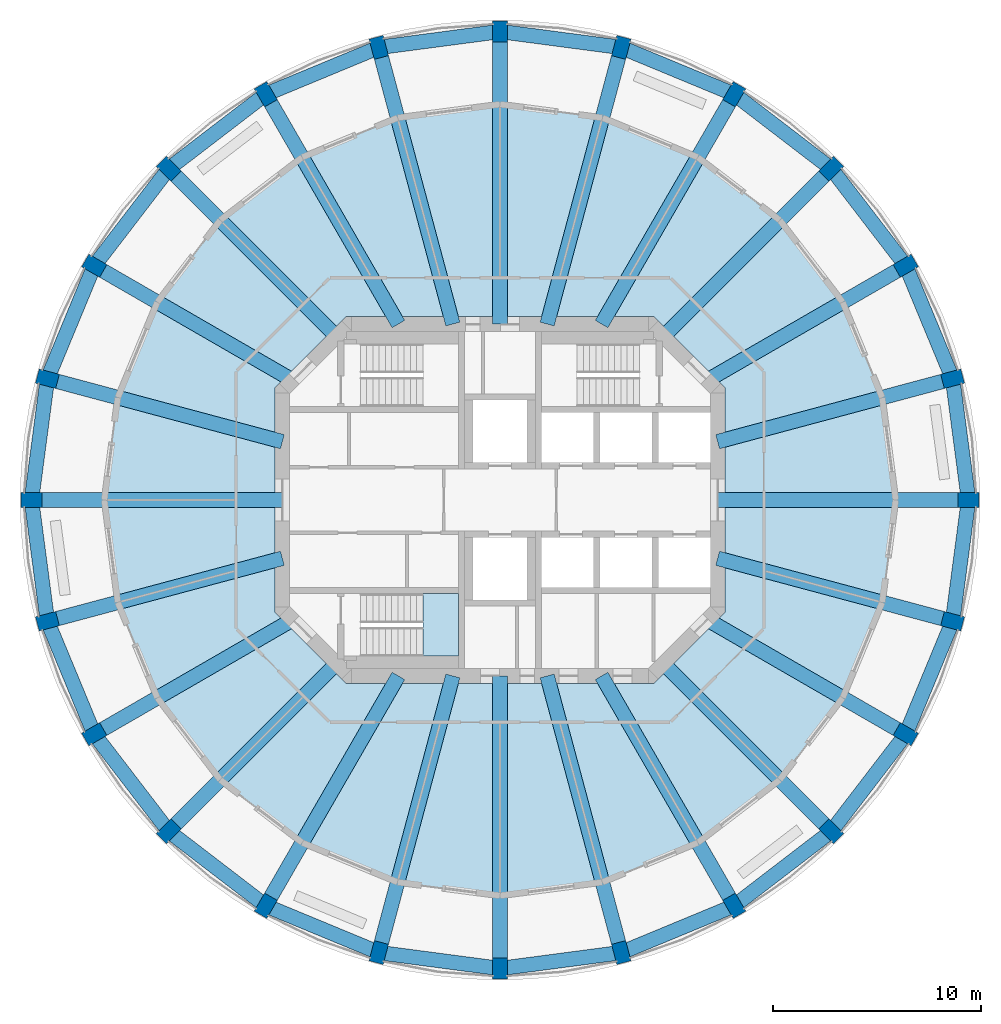
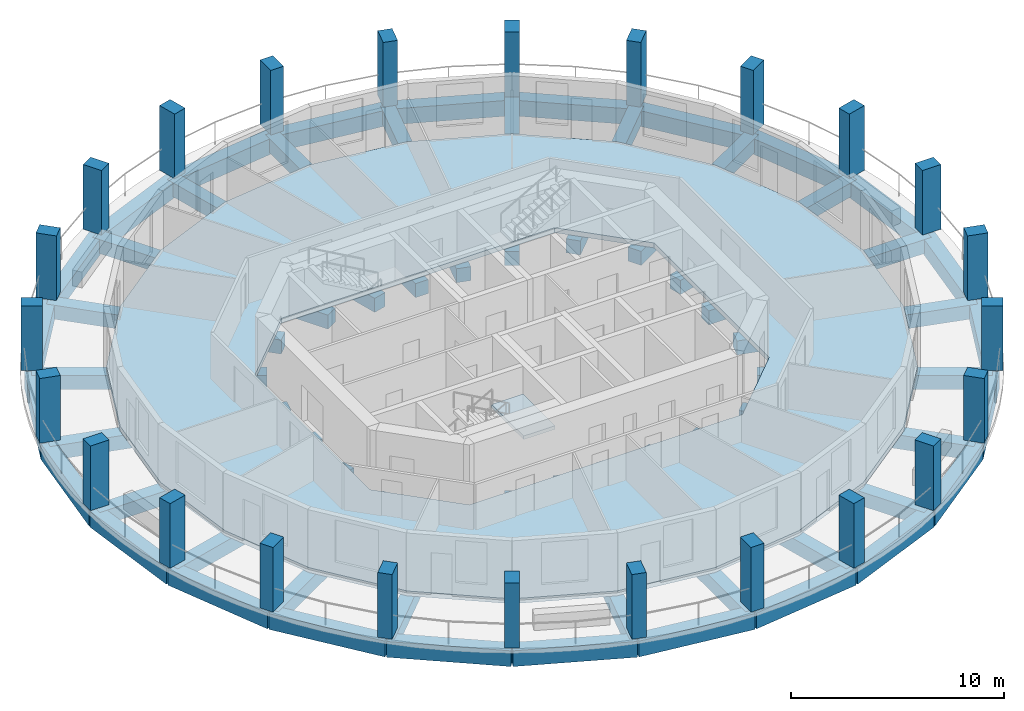
# One storey, part 1 of 9: 48 beams, 24 columns, 2 slabs, 1 element without a shape of its own.
"""IFC4 building model written with IfcOpenShell, lengths in metres."""

from ifc_helpers import new_model, si_unit, direction, frame, origin, origin_2d, place, context, subcontext, project, spatial, polyline, rectangle, outline, extrude, material, layer, layer_set, material_profile, profile_set, type_object, element, aggregate, save


model = new_model("IFC4")

# Units and contexts
model_context = context("Model", 3, precision=1e-05, world=origin(), true_north=direction((0.0, 1.0)))
body_context = subcontext(model_context, "Body", "Model", "MODEL_VIEW")
ifc_project = project(units=[si_unit("LENGTHUNIT", "METRE"), si_unit("AREAUNIT", "SQUARE_METRE"), si_unit("VOLUMEUNIT", "CUBIC_METRE"), si_unit("PLANEANGLEUNIT", "RADIAN"), si_unit("MASSUNIT", "GRAM", prefix="KILO")], contexts=[model_context])

# Site, building, storey
site_placement = place(None, origin())
site = spatial("IfcSite", under=ifc_project, at=site_placement, CompositionType="ELEMENT")
building_placement = place(site_placement, origin())
building = spatial("IfcBuilding", under=site, at=building_placement, Name="Torre Triforio", CompositionType="ELEMENT")
storey_placement = place(building_placement, frame((0.0, 0.0, 176.39990234375)))
storey = spatial("IfcBuildingStorey", under=building, at=storey_placement, Name="L40", CompositionType="ELEMENT", Elevation=176.39990234375)

# Columns
ifc_material_1 = material(Name="Concrete C50", Category="concrete")
ifc_material_profile_1 = material_profile(ifc_material_1, rectangle(XDim=0.699951171875, YDim=1.0, at=origin_2d()), Name="RC 700x1000")
ifc_profile_set_1 = profile_set([ifc_material_profile_1], Name="Concrete C50")
column_type = type_object("IfcColumnType", Name="Pier RC 700x1000 C50", PredefinedType="COLUMN", material=ifc_profile_set_1)
for number, where, z_axis, x_axis, name in (
    (1, (22.5, 0.0, 0.0), (0.0, 0.0, 1.0), (0.0, 1.0, 0.0), "COL.R.L40.00"),
    (2, (21.7333984375, 5.823486328125, 0.0), (0.0, 0.0, 1.0), (-0.258819045103, 0.965925826289, 0.0), "COL.R.L40.01"),
    (3, (19.485595703125, 11.25, 0.0), (0.0, 0.0, 1.0), (-0.5, 0.866025403784, 0.0), "COL.R.L40.02"),
    (4, (15.909912109375, 15.909912109375, 0.0), (0.0, 0.0, 1.0), (-0.707106781187, 0.707106781187, 0.0), "COL.R.L40.03"),
    (5, (11.25, 19.485595703125, 0.0), (0.0, 0.0, 1.0), (-0.866025403784, 0.5, 0.0), "COL.R.L40.04"),
    (6, (5.823486328125, 21.7333984375, 0.0), (0.0, 0.0, 1.0), (-0.965925826289, 0.258819045103, 0.0), "COL.R.L40.05"),
    (7, (0.0, 22.5, 0.0), (0.0, 0.0, 1.0), (-1.0, 0.0, 0.0), "COL.R.L40.06"),
    (8, (-5.823486328125, 21.7333984375, 0.0), (0.0, 0.0, 1.0), (-0.965925826289, -0.258819045103, 0.0), "COL.R.L40.07"),
    (9, (-11.25, 19.485595703125, 0.0), (0.0, 0.0, 1.0), (-0.866025403784, -0.5, 0.0), "COL.R.L40.08"),
    (10, (-15.909912109375, 15.909912109375, 0.0), (0.0, 0.0, 1.0), (-0.707106781187, -0.707106781187, 0.0), "COL.R.L40.09"),
    (11, (-19.485595703125, 11.25, 0.0), (0.0, 0.0, 1.0), (-0.5, -0.866025403784, 0.0), "COL.R.L40.10"),
    (12, (-21.7333984375, 5.823486328125, 0.0), (0.0, 0.0, 1.0), (-0.258819045103, -0.965925826289, 0.0), "COL.R.L40.11"),
    (13, (-22.5, 0.0, 0.0), (0.0, 0.0, 1.0), (0.0, -1.0, 0.0), "COL.R.L40.12"),
    (14, (-21.7333984375, -5.823486328125, 0.0), (0.0, 0.0, 1.0), (0.258819045103, -0.965925826289, 0.0), "COL.R.L40.13"),
    (15, (-19.485595703125, -11.25, 0.0), (0.0, 0.0, 1.0), (0.5, -0.866025403784, 0.0), "COL.R.L40.14"),
    (16, (-15.909912109375, -15.909912109375, 0.0), (0.0, 0.0, 1.0), (0.707106781187, -0.707106781187, 0.0), "COL.R.L40.15"),
    (17, (-11.25, -19.485595703125, 0.0), (0.0, 0.0, 1.0), (0.866025403784, -0.5, 0.0), "COL.R.L40.16"),
    (18, (-5.823486328125, -21.7333984375, 0.0), (0.0, 0.0, 1.0), (0.965925826289, -0.258819045103, 0.0), "COL.R.L40.17"),
    (19, (0.0, -22.5, 0.0), (0.0, 0.0, 1.0), (1.0, 0.0, 0.0), "COL.R.L40.18"),
    (20, (5.823486328125, -21.7333984375, 0.0), (0.0, 0.0, 1.0), (0.965925826289, 0.258819045103, 0.0), "COL.R.L40.19"),
    (21, (11.25, -19.485595703125, 0.0), (0.0, 0.0, 1.0), (0.866025403784, 0.5, 0.0), "COL.R.L40.20"),
    (22, (15.909912109375, -15.909912109375, 0.0), (0.0, 0.0, 1.0), (0.707106781187, 0.707106781187, 0.0), "COL.R.L40.21"),
    (23, (19.485595703125, -11.25, 0.0), (0.0, 0.0, 1.0), (0.5, 0.866025403784, 0.0), "COL.R.L40.22"),
    (24, (21.7333984375, -5.823486328125, 0.0), (0.0, 0.0, 1.0), (0.258819045103, 0.965925826289, 0.0), "COL.R.L40.23"),
):
    element("IfcColumn", number, at=place(storey_placement, frame(where, z_axis=z_axis, x_axis=x_axis)), inside=storey, type_object=column_type, Name=name, PredefinedType="COLUMN", context=body_context, shape_type="SweptSolid", body=[
        extrude(rectangle(XDim=0.699951171875, YDim=1.0, at=origin_2d()), origin(), (0.0, 0.0, 1.0), 3.7001953125),
    ])

# Beams
ifc_material_2 = material(Name="Concrete C40", Category="concrete")
ifc_material_profile_2 = material_profile(ifc_material_2, rectangle(XDim=0.699951171875, YDim=0.800048828125, at=origin_2d()), Name="RC 700x800")
ifc_profile_set_2 = profile_set([ifc_material_profile_2], Name="Concrete C40")
beam_type_1 = type_object("IfcBeamType", Name="Radial beam RC 700x800 C40", PredefinedType="BEAM", material=ifc_profile_set_2)
beam_1_placement = place(storey_placement, frame((10.449951171875, 0.0, -0.679931640625), z_axis=(1.0, 0.0, 0.0), x_axis=(0.0, 1.0, 0.0)))
element("IfcBeam", 25, at=beam_1_placement, inside=storey, type_object=beam_type_1, Name="BM.R.L40.00", PredefinedType="BEAM", context=body_context, shape_type="SweptSolid", body=[
    extrude(rectangle(XDim=0.699951171875, YDim=0.800048828125, at=origin_2d()), origin(), (0.0, 0.0, 1.0), 12.050048828125),
])
beam_2_placement = place(storey_placement, frame((10.449951171875, 2.800048828125, -0.679931640625), z_axis=(0.965924822187, 0.258822792435, 0.0), x_axis=(-0.258822792435, 0.965924822187, 0.0)))
element("IfcBeam", 26, at=beam_2_placement, inside=storey, type_object=beam_type_1, Name="BM.R.L40.01", PredefinedType="BEAM", context=body_context, shape_type="SweptSolid", body=[
    extrude(rectangle(XDim=0.699951171875, YDim=0.800048828125, at=origin_2d()), origin(), (0.0, 0.0, 1.0), 11.681396484375),
])
beam_3_placement = place(storey_placement, frame((9.9501953125, 5.744873046875, -0.679931640625), z_axis=(0.866030871389, 0.499990529712, 0.0), x_axis=(-0.499990529712, 0.866030871389, 0.0)))
element("IfcBeam", 27, at=beam_3_placement, inside=storey, type_object=beam_type_1, Name="BM.R.L40.02", PredefinedType="BEAM", context=body_context, shape_type="SweptSolid", body=[
    extrude(rectangle(XDim=0.699951171875, YDim=0.800048828125, at=origin_2d()), origin(), (0.0, 0.0, 1.0), 11.010498046875),
])
beam_4_placement = place(storey_placement, frame((7.847412109375, 7.847412109375, -0.679931640625), z_axis=(0.707106781187, 0.707106781187, 0.0), x_axis=(-0.707106781187, 0.707106781187, 0.0)))
element("IfcBeam", 28, at=beam_4_placement, inside=storey, type_object=beam_type_1, Name="BM.R.L40.03", PredefinedType="BEAM", context=body_context, shape_type="SweptSolid", body=[
    extrude(rectangle(XDim=0.699951171875, YDim=0.800048828125, at=origin_2d()), origin(), (0.0, 0.0, 1.0), 11.402099609375),
])
beam_5_placement = place(storey_placement, frame((4.878662109375, 8.449951171875, -0.679931640625), z_axis=(0.499994440966, 0.866028613271, 0.0), x_axis=(-0.866028613271, 0.499994440966, 0.0)))
element("IfcBeam", 29, at=beam_5_placement, inside=storey, type_object=beam_type_1, Name="BM.R.L40.04", PredefinedType="BEAM", context=body_context, shape_type="SweptSolid", body=[
    extrude(rectangle(XDim=0.699951171875, YDim=0.800048828125, at=origin_2d()), origin(), (0.0, 0.0, 1.0), 12.742919921875),
])
beam_6_placement = place(storey_placement, frame((2.26416015625, 8.449951171875, -0.679931640625), z_axis=(0.258821569245, 0.965925149944, 0.0), x_axis=(-0.965925149944, 0.258821569245, 0.0)))
element("IfcBeam", 30, at=beam_6_placement, inside=storey, type_object=beam_type_1, Name="BM.R.L40.05", PredefinedType="BEAM", context=body_context, shape_type="SweptSolid", body=[
    extrude(rectangle(XDim=0.699951171875, YDim=0.800048828125, at=origin_2d()), origin(), (0.0, 0.0, 1.0), 13.751953125),
])
beam_7_placement = place(storey_placement, frame((0.0, 8.449951171875, -0.679931640625), z_axis=(0.0, 1.0, 0.0), x_axis=(-1.0, 0.0, 0.0)))
element("IfcBeam", 31, at=beam_7_placement, inside=storey, type_object=beam_type_1, Name="BM.R.L40.06", PredefinedType="BEAM", context=body_context, shape_type="SweptSolid", body=[
    extrude(rectangle(XDim=0.699951171875, YDim=0.800048828125, at=origin_2d()), origin(), (0.0, 0.0, 1.0), 14.050048828125),
])
beam_8_placement = place(storey_placement, frame((-2.26416015625, 8.449951171875, -0.679931640625), z_axis=(-0.258821569245, 0.965925149944, 0.0), x_axis=(-0.965925149944, -0.258821569245, 0.0)))
element("IfcBeam", 32, at=beam_8_placement, inside=storey, type_object=beam_type_1, Name="BM.R.L40.07", PredefinedType="BEAM", context=body_context, shape_type="SweptSolid", body=[
    extrude(rectangle(XDim=0.699951171875, YDim=0.800048828125, at=origin_2d()), origin(), (0.0, 0.0, 1.0), 13.751953125),
])
beam_9_placement = place(storey_placement, frame((-4.878662109375, 8.449951171875, -0.679931640625), z_axis=(-0.499994440966, 0.866028613271, 0.0), x_axis=(-0.866028613271, -0.499994440966, 0.0)))
element("IfcBeam", 33, at=beam_9_placement, inside=storey, type_object=beam_type_1, Name="BM.R.L40.08", PredefinedType="BEAM", context=body_context, shape_type="SweptSolid", body=[
    extrude(rectangle(XDim=0.699951171875, YDim=0.800048828125, at=origin_2d()), origin(), (0.0, 0.0, 1.0), 12.742919921875),
])
beam_10_placement = place(storey_placement, frame((-7.847412109375, 7.847412109375, -0.679931640625), z_axis=(-0.707106781187, 0.707106781187, 0.0), x_axis=(-0.707106781187, -0.707106781187, 0.0)))
element("IfcBeam", 34, at=beam_10_placement, inside=storey, type_object=beam_type_1, Name="BM.R.L40.09", PredefinedType="BEAM", context=body_context, shape_type="SweptSolid", body=[
    extrude(rectangle(XDim=0.699951171875, YDim=0.800048828125, at=origin_2d()), origin(), (0.0, 0.0, 1.0), 11.402099609375),
])
beam_11_placement = place(storey_placement, frame((-9.9501953125, 5.744873046875, -0.679931640625), z_axis=(-0.866030871389, 0.499990529712, 0.0), x_axis=(-0.499990529712, -0.866030871389, 0.0)))
element("IfcBeam", 35, at=beam_11_placement, inside=storey, type_object=beam_type_1, Name="BM.R.L40.10", PredefinedType="BEAM", context=body_context, shape_type="SweptSolid", body=[
    extrude(rectangle(XDim=0.699951171875, YDim=0.800048828125, at=origin_2d()), origin(), (0.0, 0.0, 1.0), 11.010498046875),
])
beam_12_placement = place(storey_placement, frame((-10.449951171875, 2.800048828125, -0.679931640625), z_axis=(-0.965924822187, 0.258822792435, 0.0), x_axis=(-0.258822792435, -0.965924822187, 0.0)))
element("IfcBeam", 36, at=beam_12_placement, inside=storey, type_object=beam_type_1, Name="BM.R.L40.11", PredefinedType="BEAM", context=body_context, shape_type="SweptSolid", body=[
    extrude(rectangle(XDim=0.699951171875, YDim=0.800048828125, at=origin_2d()), origin(), (0.0, 0.0, 1.0), 11.681396484375),
])
beam_13_placement = place(storey_placement, frame((-10.449951171875, 0.0, -0.679931640625), z_axis=(-1.0, 0.0, 0.0), x_axis=(0.0, -1.0, 0.0)))
element("IfcBeam", 37, at=beam_13_placement, inside=storey, type_object=beam_type_1, Name="BM.R.L40.12", PredefinedType="BEAM", context=body_context, shape_type="SweptSolid", body=[
    extrude(rectangle(XDim=0.699951171875, YDim=0.800048828125, at=origin_2d()), origin(), (0.0, 0.0, 1.0), 12.050048828125),
])
beam_14_placement = place(storey_placement, frame((-10.449951171875, -2.800048828125, -0.679931640625), z_axis=(-0.965924822187, -0.258822792435, 0.0), x_axis=(0.258822792435, -0.965924822187, 0.0)))
element("IfcBeam", 38, at=beam_14_placement, inside=storey, type_object=beam_type_1, Name="BM.R.L40.13", PredefinedType="BEAM", context=body_context, shape_type="SweptSolid", body=[
    extrude(rectangle(XDim=0.699951171875, YDim=0.800048828125, at=origin_2d()), origin(), (0.0, 0.0, 1.0), 11.681396484375),
])
beam_15_placement = place(storey_placement, frame((-9.9501953125, -5.744873046875, -0.679931640625), z_axis=(-0.866030871389, -0.499990529712, 0.0), x_axis=(0.499990529712, -0.866030871389, 0.0)))
element("IfcBeam", 39, at=beam_15_placement, inside=storey, type_object=beam_type_1, Name="BM.R.L40.14", PredefinedType="BEAM", context=body_context, shape_type="SweptSolid", body=[
    extrude(rectangle(XDim=0.699951171875, YDim=0.800048828125, at=origin_2d()), origin(), (0.0, 0.0, 1.0), 11.010498046875),
])
beam_16_placement = place(storey_placement, frame((-7.847412109375, -7.847412109375, -0.679931640625), z_axis=(-0.707106781187, -0.707106781187, 0.0), x_axis=(0.707106781187, -0.707106781187, 0.0)))
element("IfcBeam", 40, at=beam_16_placement, inside=storey, type_object=beam_type_1, Name="BM.R.L40.15", PredefinedType="BEAM", context=body_context, shape_type="SweptSolid", body=[
    extrude(rectangle(XDim=0.699951171875, YDim=0.800048828125, at=origin_2d()), origin(), (0.0, 0.0, 1.0), 11.402099609375),
])
beam_17_placement = place(storey_placement, frame((-4.878662109375, -8.449951171875, -0.679931640625), z_axis=(-0.499994440966, -0.866028613271, 0.0), x_axis=(0.866028613271, -0.499994440966, 0.0)))
element("IfcBeam", 41, at=beam_17_placement, inside=storey, type_object=beam_type_1, Name="BM.R.L40.16", PredefinedType="BEAM", context=body_context, shape_type="SweptSolid", body=[
    extrude(rectangle(XDim=0.699951171875, YDim=0.800048828125, at=origin_2d()), origin(), (0.0, 0.0, 1.0), 12.742919921875),
])
beam_18_placement = place(storey_placement, frame((-2.26416015625, -8.449951171875, -0.679931640625), z_axis=(-0.258821569245, -0.965925149944, 0.0), x_axis=(0.965925149944, -0.258821569245, 0.0)))
element("IfcBeam", 42, at=beam_18_placement, inside=storey, type_object=beam_type_1, Name="BM.R.L40.17", PredefinedType="BEAM", context=body_context, shape_type="SweptSolid", body=[
    extrude(rectangle(XDim=0.699951171875, YDim=0.800048828125, at=origin_2d()), origin(), (0.0, 0.0, 1.0), 13.751953125),
])
beam_19_placement = place(storey_placement, frame((0.0, -8.449951171875, -0.679931640625), z_axis=(0.0, -1.0, 0.0), x_axis=(1.0, 0.0, 0.0)))
element("IfcBeam", 43, at=beam_19_placement, inside=storey, type_object=beam_type_1, Name="BM.R.L40.18", PredefinedType="BEAM", context=body_context, shape_type="SweptSolid", body=[
    extrude(rectangle(XDim=0.699951171875, YDim=0.800048828125, at=origin_2d()), origin(), (0.0, 0.0, 1.0), 14.050048828125),
])
beam_20_placement = place(storey_placement, frame((2.26416015625, -8.449951171875, -0.679931640625), z_axis=(0.258821569245, -0.965925149944, 0.0), x_axis=(0.965925149944, 0.258821569245, 0.0)))
element("IfcBeam", 44, at=beam_20_placement, inside=storey, type_object=beam_type_1, Name="BM.R.L40.19", PredefinedType="BEAM", context=body_context, shape_type="SweptSolid", body=[
    extrude(rectangle(XDim=0.699951171875, YDim=0.800048828125, at=origin_2d()), origin(), (0.0, 0.0, 1.0), 13.751953125),
])
beam_21_placement = place(storey_placement, frame((4.878662109375, -8.449951171875, -0.679931640625), z_axis=(0.499994440966, -0.866028613271, 0.0), x_axis=(0.866028613271, 0.499994440966, 0.0)))
element("IfcBeam", 45, at=beam_21_placement, inside=storey, type_object=beam_type_1, Name="BM.R.L40.20", PredefinedType="BEAM", context=body_context, shape_type="SweptSolid", body=[
    extrude(rectangle(XDim=0.699951171875, YDim=0.800048828125, at=origin_2d()), origin(), (0.0, 0.0, 1.0), 12.742919921875),
])
beam_22_placement = place(storey_placement, frame((7.847412109375, -7.847412109375, -0.679931640625), z_axis=(0.707106781187, -0.707106781187, 0.0), x_axis=(0.707106781187, 0.707106781187, 0.0)))
element("IfcBeam", 46, at=beam_22_placement, inside=storey, type_object=beam_type_1, Name="BM.R.L40.21", PredefinedType="BEAM", context=body_context, shape_type="SweptSolid", body=[
    extrude(rectangle(XDim=0.699951171875, YDim=0.800048828125, at=origin_2d()), origin(), (0.0, 0.0, 1.0), 11.402099609375),
])
beam_23_placement = place(storey_placement, frame((9.9501953125, -5.744873046875, -0.679931640625), z_axis=(0.866030871389, -0.499990529712, 0.0), x_axis=(0.499990529712, 0.866030871389, 0.0)))
element("IfcBeam", 47, at=beam_23_placement, inside=storey, type_object=beam_type_1, Name="BM.R.L40.22", PredefinedType="BEAM", context=body_context, shape_type="SweptSolid", body=[
    extrude(rectangle(XDim=0.699951171875, YDim=0.800048828125, at=origin_2d()), origin(), (0.0, 0.0, 1.0), 11.010498046875),
])
beam_24_placement = place(storey_placement, frame((10.449951171875, -2.800048828125, -0.679931640625), z_axis=(0.965924822187, -0.258822792435, 0.0), x_axis=(0.258822792435, 0.965924822187, 0.0)))
element("IfcBeam", 48, at=beam_24_placement, inside=storey, type_object=beam_type_1, Name="BM.R.L40.23", PredefinedType="BEAM", context=body_context, shape_type="SweptSolid", body=[
    extrude(rectangle(XDim=0.699951171875, YDim=0.800048828125, at=origin_2d()), origin(), (0.0, 0.0, 1.0), 11.681396484375),
])
ifc_material_profile_3 = material_profile(ifc_material_2, rectangle(XDim=0.699951171875, YDim=0.89990234375, at=origin_2d()), Name="RC 700x900")
ifc_profile_set_3 = profile_set([ifc_material_profile_3], Name="Concrete C40")
beam_type_2 = type_object("IfcBeamType", Name="Spandrel beam RC 700x900 C40", PredefinedType="SPANDREL", material=ifc_profile_set_3)
beam_25_placement = place(storey_placement, frame((22.5, 0.0, -0.72998046875), z_axis=(-0.13051364818, 0.991446512747, 0.0), x_axis=(-0.991446512747, -0.13051364818, 0.0)))
element("IfcBeam", 49, at=beam_25_placement, inside=storey, type_object=beam_type_2, Name="BM.S.L40.00", PredefinedType="SPANDREL", context=body_context, shape_type="SweptSolid", body=[
    extrude(rectangle(XDim=0.699951171875, YDim=0.89990234375, at=origin_2d()), origin(), (0.0, 0.0, 1.0), 5.873779296875),
])
beam_26_placement = place(storey_placement, frame((21.7333984375, 5.823486328125, -0.72998046875), z_axis=(-0.382693194178, 0.923875488976, 0.0), x_axis=(-0.923875488976, -0.382693194178, 0.0)))
element("IfcBeam", 50, at=beam_26_placement, inside=storey, type_object=beam_type_2, Name="BM.S.L40.01", PredefinedType="SPANDREL", context=body_context, shape_type="SweptSolid", body=[
    extrude(rectangle(XDim=0.699951171875, YDim=0.89990234375, at=origin_2d()), origin(), (0.0, 0.0, 1.0), 5.87353515625),
])
for number, where, z_axis, x_axis, name in (
    (51, (19.485595703125, 11.25, -0.72998046875), (-0.608762208108, 0.793352742466, 0.0), (-0.793352742466, -0.608762208108, 0.0), "BM.S.L40.02"),
    (52, (15.909912109375, 15.909912109375, -0.72998046875), (-0.793352742466, 0.608762208108, 0.0), (-0.608762208108, -0.793352742466, 0.0), "BM.S.L40.03"),
):
    element("IfcBeam", number, at=place(storey_placement, frame(where, z_axis=z_axis, x_axis=x_axis)), inside=storey, type_object=beam_type_2, Name=name, PredefinedType="SPANDREL", context=body_context, shape_type="SweptSolid", body=[
        extrude(rectangle(XDim=0.699951171875, YDim=0.89990234375, at=origin_2d()), origin(), (0.0, 0.0, 1.0), 5.873779296875),
    ])
beam_27_placement = place(storey_placement, frame((11.25, 19.485595703125, -0.72998046875), z_axis=(-0.923875488976, 0.382693194178, 0.0), x_axis=(-0.382693194178, -0.923875488976, 0.0)))
element("IfcBeam", 53, at=beam_27_placement, inside=storey, type_object=beam_type_2, Name="BM.S.L40.04", PredefinedType="SPANDREL", context=body_context, shape_type="SweptSolid", body=[
    extrude(rectangle(XDim=0.699951171875, YDim=0.89990234375, at=origin_2d()), origin(), (0.0, 0.0, 1.0), 5.87353515625),
])
for number, where, z_axis, x_axis, name in (
    (54, (5.823486328125, 21.7333984375, -0.72998046875), (-0.991446512747, 0.13051364818, 0.0), (-0.13051364818, -0.991446512747, 0.0), "BM.S.L40.05"),
    (55, (0.0, 22.5, -0.72998046875), (-0.991446512747, -0.13051364818, 0.0), (0.13051364818, -0.991446512747, 0.0), "BM.S.L40.06"),
):
    element("IfcBeam", number, at=place(storey_placement, frame(where, z_axis=z_axis, x_axis=x_axis)), inside=storey, type_object=beam_type_2, Name=name, PredefinedType="SPANDREL", context=body_context, shape_type="SweptSolid", body=[
        extrude(rectangle(XDim=0.699951171875, YDim=0.89990234375, at=origin_2d()), origin(), (0.0, 0.0, 1.0), 5.873779296875),
    ])
beam_28_placement = place(storey_placement, frame((-5.823486328125, 21.7333984375, -0.72998046875), z_axis=(-0.923875488976, -0.382693194178, 0.0), x_axis=(0.382693194178, -0.923875488976, 0.0)))
element("IfcBeam", 56, at=beam_28_placement, inside=storey, type_object=beam_type_2, Name="BM.S.L40.07", PredefinedType="SPANDREL", context=body_context, shape_type="SweptSolid", body=[
    extrude(rectangle(XDim=0.699951171875, YDim=0.89990234375, at=origin_2d()), origin(), (0.0, 0.0, 1.0), 5.87353515625),
])
for number, where, z_axis, x_axis, name in (
    (57, (-11.25, 19.485595703125, -0.72998046875), (-0.793352742466, -0.608762208108, 0.0), (0.608762208108, -0.793352742466, 0.0), "BM.S.L40.08"),
    (58, (-15.909912109375, 15.909912109375, -0.72998046875), (-0.608762208108, -0.793352742466, 0.0), (0.793352742466, -0.608762208108, 0.0), "BM.S.L40.09"),
):
    element("IfcBeam", number, at=place(storey_placement, frame(where, z_axis=z_axis, x_axis=x_axis)), inside=storey, type_object=beam_type_2, Name=name, PredefinedType="SPANDREL", context=body_context, shape_type="SweptSolid", body=[
        extrude(rectangle(XDim=0.699951171875, YDim=0.89990234375, at=origin_2d()), origin(), (0.0, 0.0, 1.0), 5.873779296875),
    ])
beam_29_placement = place(storey_placement, frame((-19.485595703125, 11.25, -0.72998046875), z_axis=(-0.382693194178, -0.923875488976, 0.0), x_axis=(0.923875488976, -0.382693194178, 0.0)))
element("IfcBeam", 59, at=beam_29_placement, inside=storey, type_object=beam_type_2, Name="BM.S.L40.10", PredefinedType="SPANDREL", context=body_context, shape_type="SweptSolid", body=[
    extrude(rectangle(XDim=0.699951171875, YDim=0.89990234375, at=origin_2d()), origin(), (0.0, 0.0, 1.0), 5.87353515625),
])
for number, where, z_axis, x_axis, name in (
    (60, (-21.7333984375, 5.823486328125, -0.72998046875), (-0.13051364818, -0.991446512747, 0.0), (0.991446512747, -0.13051364818, 0.0), "BM.S.L40.11"),
    (61, (-22.5, 0.0, -0.72998046875), (0.13051364818, -0.991446512747, 0.0), (0.991446512747, 0.13051364818, 0.0), "BM.S.L40.12"),
):
    element("IfcBeam", number, at=place(storey_placement, frame(where, z_axis=z_axis, x_axis=x_axis)), inside=storey, type_object=beam_type_2, Name=name, PredefinedType="SPANDREL", context=body_context, shape_type="SweptSolid", body=[
        extrude(rectangle(XDim=0.699951171875, YDim=0.89990234375, at=origin_2d()), origin(), (0.0, 0.0, 1.0), 5.873779296875),
    ])
beam_30_placement = place(storey_placement, frame((-21.7333984375, -5.823486328125, -0.72998046875), z_axis=(0.382693194178, -0.923875488976, 0.0), x_axis=(0.923875488976, 0.382693194178, 0.0)))
element("IfcBeam", 62, at=beam_30_placement, inside=storey, type_object=beam_type_2, Name="BM.S.L40.13", PredefinedType="SPANDREL", context=body_context, shape_type="SweptSolid", body=[
    extrude(rectangle(XDim=0.699951171875, YDim=0.89990234375, at=origin_2d()), origin(), (0.0, 0.0, 1.0), 5.87353515625),
])
for number, where, z_axis, x_axis, name in (
    (63, (-19.485595703125, -11.25, -0.72998046875), (0.608762208108, -0.793352742466, 0.0), (0.793352742466, 0.608762208108, 0.0), "BM.S.L40.14"),
    (64, (-15.909912109375, -15.909912109375, -0.72998046875), (0.793352742466, -0.608762208108, 0.0), (0.608762208108, 0.793352742466, 0.0), "BM.S.L40.15"),
):
    element("IfcBeam", number, at=place(storey_placement, frame(where, z_axis=z_axis, x_axis=x_axis)), inside=storey, type_object=beam_type_2, Name=name, PredefinedType="SPANDREL", context=body_context, shape_type="SweptSolid", body=[
        extrude(rectangle(XDim=0.699951171875, YDim=0.89990234375, at=origin_2d()), origin(), (0.0, 0.0, 1.0), 5.873779296875),
    ])
beam_31_placement = place(storey_placement, frame((-11.25, -19.485595703125, -0.72998046875), z_axis=(0.923875488976, -0.382693194178, 0.0), x_axis=(0.382693194178, 0.923875488976, 0.0)))
element("IfcBeam", 65, at=beam_31_placement, inside=storey, type_object=beam_type_2, Name="BM.S.L40.16", PredefinedType="SPANDREL", context=body_context, shape_type="SweptSolid", body=[
    extrude(rectangle(XDim=0.699951171875, YDim=0.89990234375, at=origin_2d()), origin(), (0.0, 0.0, 1.0), 5.87353515625),
])
for number, where, z_axis, x_axis, name in (
    (66, (-5.823486328125, -21.7333984375, -0.72998046875), (0.991446512747, -0.13051364818, 0.0), (0.13051364818, 0.991446512747, 0.0), "BM.S.L40.17"),
    (67, (0.0, -22.5, -0.72998046875), (0.991446512747, 0.13051364818, 0.0), (-0.13051364818, 0.991446512747, 0.0), "BM.S.L40.18"),
):
    element("IfcBeam", number, at=place(storey_placement, frame(where, z_axis=z_axis, x_axis=x_axis)), inside=storey, type_object=beam_type_2, Name=name, PredefinedType="SPANDREL", context=body_context, shape_type="SweptSolid", body=[
        extrude(rectangle(XDim=0.699951171875, YDim=0.89990234375, at=origin_2d()), origin(), (0.0, 0.0, 1.0), 5.873779296875),
    ])
beam_32_placement = place(storey_placement, frame((5.823486328125, -21.7333984375, -0.72998046875), z_axis=(0.923875488976, 0.382693194178, 0.0), x_axis=(-0.382693194178, 0.923875488976, 0.0)))
element("IfcBeam", 68, at=beam_32_placement, inside=storey, type_object=beam_type_2, Name="BM.S.L40.19", PredefinedType="SPANDREL", context=body_context, shape_type="SweptSolid", body=[
    extrude(rectangle(XDim=0.699951171875, YDim=0.89990234375, at=origin_2d()), origin(), (0.0, 0.0, 1.0), 5.87353515625),
])
for number, where, z_axis, x_axis, name in (
    (69, (11.25, -19.485595703125, -0.72998046875), (0.793352742466, 0.608762208108, 0.0), (-0.608762208108, 0.793352742466, 0.0), "BM.S.L40.20"),
    (70, (15.909912109375, -15.909912109375, -0.72998046875), (0.608762208108, 0.793352742466, 0.0), (-0.793352742466, 0.608762208108, 0.0), "BM.S.L40.21"),
):
    element("IfcBeam", number, at=place(storey_placement, frame(where, z_axis=z_axis, x_axis=x_axis)), inside=storey, type_object=beam_type_2, Name=name, PredefinedType="SPANDREL", context=body_context, shape_type="SweptSolid", body=[
        extrude(rectangle(XDim=0.699951171875, YDim=0.89990234375, at=origin_2d()), origin(), (0.0, 0.0, 1.0), 5.873779296875),
    ])
beam_33_placement = place(storey_placement, frame((19.485595703125, -11.25, -0.72998046875), z_axis=(0.382693194178, 0.923875488976, 0.0), x_axis=(-0.923875488976, 0.382693194178, 0.0)))
element("IfcBeam", 71, at=beam_33_placement, inside=storey, type_object=beam_type_2, Name="BM.S.L40.22", PredefinedType="SPANDREL", context=body_context, shape_type="SweptSolid", body=[
    extrude(rectangle(XDim=0.699951171875, YDim=0.89990234375, at=origin_2d()), origin(), (0.0, 0.0, 1.0), 5.87353515625),
])
beam_34_placement = place(storey_placement, frame((21.7333984375, -5.823486328125, -0.72998046875), z_axis=(0.13051364818, 0.991446512747, 0.0), x_axis=(-0.991446512747, 0.13051364818, 0.0)))
element("IfcBeam", 72, at=beam_34_placement, inside=storey, type_object=beam_type_2, Name="BM.S.L40.23", PredefinedType="SPANDREL", context=body_context, shape_type="SweptSolid", body=[
    extrude(rectangle(XDim=0.699951171875, YDim=0.89990234375, at=origin_2d()), origin(), (0.0, 0.0, 1.0), 5.873779296875),
])

# Slab
ifc_layer_1 = layer(ifc_material_2, 0.280029296875)
ifc_layer_set_1 = layer_set([ifc_layer_1], Name="Concrete C40")
slab_type_1 = type_object("IfcSlabType", Name="Floor slab 280 C40", PredefinedType="FLOOR", material=ifc_layer_set_1)
slab_1_placement = place(storey_placement, frame((0.0, 0.0, -0.27978515625)))
element("IfcSlab", 73, at=slab_1_placement, inside=storey, type_object=slab_type_1, Name="SL.L40", PredefinedType="FLOOR", context=body_context, shape_type="SweptSolid", body=[
    extrude(outline(polyline([(16.45458984375, -9.5), (18.3525390625, -4.91748046875), (19.0, 0.0), (18.3525390625, 4.91748046875), (16.45458984375, 9.5), (13.43505859375, 13.43505859375), (9.5, 16.45458984375), (4.91748046875, 18.3525390625), (0.0, 19.0), (-4.91748046875, 18.3525390625), (-9.5, 16.45458984375), (-13.43505859375, 13.43505859375), (-16.45458984375, 9.5), (-18.3525390625, 4.91748046875), (-19.0, 0.0), (-18.3525390625, -4.91748046875), (-16.45458984375, -9.5), (-13.43505859375, -13.43505859375), (-9.5, -16.45458984375), (-4.91748046875, -18.3525390625), (0.0, -19.0), (4.91748046875, -18.3525390625), (9.5, -16.45458984375), (13.43505859375, -13.43505859375), (16.45458984375, -9.5)]), holes=[polyline([(10.800048828125, 5.389892578125), (10.800048828125, -5.389892578125), (7.389892578125, -8.800048828125), (-7.389892578125, -8.800048828125), (-10.800048828125, -5.389892578125), (-10.800048828125, 5.389892578125), (-7.389892578125, 8.800048828125), (7.389892578125, 8.800048828125), (10.800048828125, 5.389892578125)])]), origin(), (0.0, 0.0, 1.0), 0.27978515625),
])

# Stair, slab
stair_type = type_object("IfcStairType", Name="STAIR HALF-TURN", PredefinedType="HALF_TURN_STAIR", material=ifc_material_2)
stair_placement = place(storey_placement, origin())
stair = element("IfcStair", 74, at=stair_placement, inside=storey, type_object=stair_type, Name="Exit stair 3", PredefinedType="HALF_TURN_STAIR")
ifc_layer_2 = layer(ifc_material_2, 0.199951171875)
ifc_layer_set_2 = layer_set([ifc_layer_2], Name="Concrete C40")
slab_type_2 = type_object("IfcSlabType", Name="STAIR LANDING 200", PredefinedType="LANDING", material=ifc_layer_set_2)
slab_2_placement = place(storey_placement, frame((0.0, 0.0, 1.650146484375)))
slab_2 = element("IfcSlab", 75, at=slab_2_placement, type_object=slab_type_2, Name="ST3 landing 1", PredefinedType="LANDING", context=body_context, shape_type="SweptSolid", body=[
    extrude(outline(polyline([(-2.0, -7.5), (-2.0, -4.5), (-3.699951171875, -4.5), (-3.699951171875, -7.5), (-2.0, -7.5)])), origin(), (0.0, 0.0, 1.0), 0.199951171875),
])
aggregate(stair, [slab_2])

save(model, "model.ifc")
